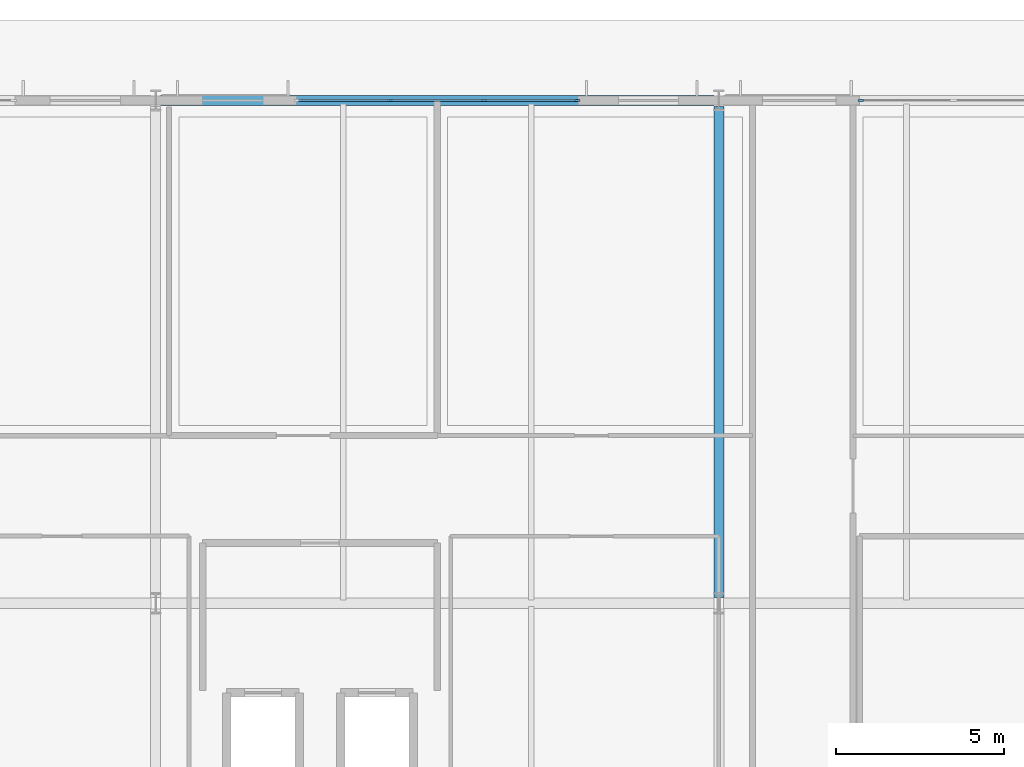
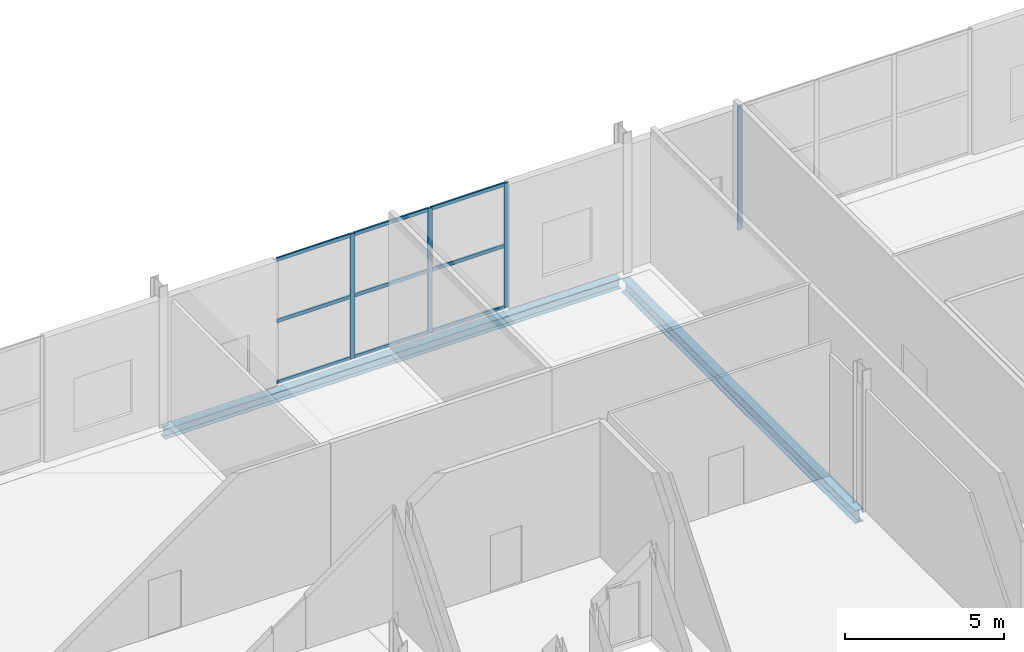
# One storey, part 35 of 87: 13 members, 2 beams, 2 elements without a shape of their own.
"""IFC4 building model written with IfcOpenShell, lengths in metres."""

from ifc_helpers import new_model, si_unit, direction, frame, origin, origin_2d, place, context, subcontext, project, spatial, rectangle, i_section, extrude, material, material_profile, profile_set, type_object, element, aggregate, save


model = new_model("IFC4")

# Units and contexts
model_context = context("Model", 3, precision=1e-05, world=origin(), true_north=direction((0.0, 1.0)))
body_context = subcontext(model_context, "Body", "Model", "MODEL_VIEW")
ifc_project = project(units=[si_unit("LENGTHUNIT", "METRE"), si_unit("AREAUNIT", "SQUARE_METRE"), si_unit("VOLUMEUNIT", "CUBIC_METRE"), si_unit("PLANEANGLEUNIT", "RADIAN"), si_unit("MASSUNIT", "GRAM", prefix="KILO")], contexts=[model_context])

# Site, building, storey
site_placement = place(None, origin())
site = spatial("IfcSite", under=ifc_project, at=site_placement, CompositionType="ELEMENT")
building_placement = place(site_placement, origin())
building = spatial("IfcBuilding", under=site, at=building_placement, Name="Kimbaza Rail Terminus", CompositionType="ELEMENT")
storey_placement = place(building_placement, origin())
storey = spatial("IfcBuildingStorey", under=building, at=storey_placement, Name="L00", CompositionType="ELEMENT", Elevation=0.0)

# Curtain wall, members
ifc_material_1 = material(Name="Anodised aluminium framing and solar low-E glazing", Category="aluminium")
curtain_wall_type = type_object("IfcCurtainWallType", Name="ARC-CW-OP1", PredefinedType="USERDEFINED", material=ifc_material_1)
curtain_wall_1_placement = place(storey_placement, origin())
curtain_wall_1 = element("IfcCurtainWall", 1, at=curtain_wall_1_placement, inside=storey, type_object=curtain_wall_type, Name="Operations North Curtain Wall L00 Bay 3", ObjectType="UNITISED CURTAIN WALL", PredefinedType="USERDEFINED")
ifc_material_2 = material(Name="Anodised architectural aluminium", Category="aluminium")
ifc_material_profile_1 = material_profile(ifc_material_2, rectangle(XDim=0.06201171875, YDim=0.1650390625, at=origin_2d()), Name="MULLION 62x165")
ifc_profile_set_1 = profile_set([ifc_material_profile_1], Name="Anodised architectural aluminium")
member_type_1 = type_object("IfcMemberType", Name="ARC-CWM-05", PredefinedType="MULLION", material=ifc_profile_set_1)
member_1_placement = place(storey_placement, frame((95.800048828125, 133.0, 0.0), z_axis=(0.0, 0.0, 1.0), x_axis=(0.0, 1.0, 0.0)))
member_1 = element("IfcMember", 2, at=member_1_placement, type_object=member_type_1, Name="CW-05 mullion 2", PredefinedType="MULLION", context=body_context, shape_type="SweptSolid", body=[
    extrude(rectangle(XDim=0.06201171875, YDim=0.1650390625, at=origin_2d()), origin(), (0.0, 0.0, 1.0), 4.764892578125),
])
member_2_placement = place(storey_placement, frame((98.60009765625, 133.0, 0.0), z_axis=(0.0, 0.0, 1.0), x_axis=(0.0, 1.0, 0.0)))
member_2 = element("IfcMember", 3, at=member_2_placement, type_object=member_type_1, Name="CW-05 mullion 3", PredefinedType="MULLION", context=body_context, shape_type="SweptSolid", body=[
    extrude(rectangle(XDim=0.06201171875, YDim=0.1650390625, at=origin_2d()), origin(), (0.0, 0.0, 1.0), 4.764892578125),
])
member_3_placement = place(storey_placement, frame((101.368896484375, 133.0, 0.0), z_axis=(0.0, 0.0, 1.0), x_axis=(0.0, 1.0, 0.0)))
member_3 = element("IfcMember", 4, at=member_3_placement, type_object=member_type_1, Name="CW-05 mullion 4", PredefinedType="MULLION", context=body_context, shape_type="SweptSolid", body=[
    extrude(rectangle(XDim=0.06201171875, YDim=0.1650390625, at=origin_2d()), origin(), (0.0, 0.0, 1.0), 4.764892578125),
])

# Curtain wall, member
curtain_wall_2_placement = place(storey_placement, origin())
curtain_wall_2 = element("IfcCurtainWall", 5, at=curtain_wall_2_placement, inside=storey, type_object=curtain_wall_type, Name="Operations North Curtain Wall L00 Bay 4", ObjectType="UNITISED CURTAIN WALL", PredefinedType="USERDEFINED")
member_4_placement = place(storey_placement, frame((109.8310546875, 133.0, 0.0), z_axis=(0.0, 0.0, 1.0), x_axis=(0.0, 1.0, 0.0)))
member_4 = element("IfcMember", 6, at=member_4_placement, type_object=member_type_1, Name="CW-05 mullion 1", PredefinedType="MULLION", context=body_context, shape_type="SweptSolid", body=[
    extrude(rectangle(XDim=0.06201171875, YDim=0.1650390625, at=origin_2d()), origin(), (0.0, 0.0, 1.0), 4.764892578125),
])
aggregate(curtain_wall_2, [member_4])

# Member
ifc_material_3 = material(Name="Anodised architectural aluminium", Category="aluminium")
ifc_material_profile_2 = material_profile(ifc_material_3, rectangle(XDim=0.06201171875, YDim=0.135009765625, at=origin_2d()), Name="TRANSOM 62x135")
ifc_profile_set_2 = profile_set([ifc_material_profile_2], Name="Anodised architectural aluminium")
member_type_2 = type_object("IfcMemberType", Name="ARC-CWT-05", PredefinedType="USERDEFINED", material=ifc_profile_set_2)
member_5_placement = place(storey_placement, frame((93.06201171875, 133.0, 0.031005859375), z_axis=(1.0, 0.0, 0.0), x_axis=(0.0, 1.0, 0.0)))
member_5 = element("IfcMember", 7, at=member_5_placement, type_object=member_type_2, Name="CW-05 transom 1.1", ObjectType="TRANSOM", PredefinedType="USERDEFINED", context=body_context, shape_type="SweptSolid", body=[
    extrude(rectangle(XDim=0.06201171875, YDim=0.135009765625, at=origin_2d()), origin(), (0.0, 0.0, 1.0), 2.70703125),
])

member_6_placement = place(storey_placement, frame((93.06201171875, 133.0, 2.382568359375), z_axis=(1.0, 0.0, 0.0), x_axis=(0.0, 1.0, 0.0)))
member_6 = element("IfcMember", 8, at=member_6_placement, type_object=member_type_2, Name="CW-05 transom 1.2", ObjectType="TRANSOM", PredefinedType="USERDEFINED", context=body_context, shape_type="SweptSolid", body=[
    extrude(rectangle(XDim=0.06201171875, YDim=0.135009765625, at=origin_2d()), origin(), (0.0, 0.0, 1.0), 2.70703125),
])

member_7_placement = place(storey_placement, frame((93.06201171875, 133.0, 4.73388671875), z_axis=(1.0, 0.0, 0.0), x_axis=(0.0, 1.0, 0.0)))
member_7 = element("IfcMember", 9, at=member_7_placement, type_object=member_type_2, Name="CW-05 transom 1.3", ObjectType="TRANSOM", PredefinedType="USERDEFINED", context=body_context, shape_type="SweptSolid", body=[
    extrude(rectangle(XDim=0.06201171875, YDim=0.135009765625, at=origin_2d()), origin(), (0.0, 0.0, 1.0), 2.70703125),
])

member_8_placement = place(storey_placement, frame((95.8310546875, 133.0, 0.031005859375), z_axis=(1.0, 0.0, 0.0), x_axis=(0.0, 1.0, 0.0)))
member_8 = element("IfcMember", 10, at=member_8_placement, type_object=member_type_2, Name="CW-05 transom 2.1", ObjectType="TRANSOM", PredefinedType="USERDEFINED", context=body_context, shape_type="SweptSolid", body=[
    extrude(rectangle(XDim=0.06201171875, YDim=0.135009765625, at=origin_2d()), origin(), (0.0, 0.0, 1.0), 2.738037109375),
])

member_9_placement = place(storey_placement, frame((95.8310546875, 133.0, 2.382568359375), z_axis=(1.0, 0.0, 0.0), x_axis=(0.0, 1.0, 0.0)))
member_9 = element("IfcMember", 11, at=member_9_placement, type_object=member_type_2, Name="CW-05 transom 2.2", ObjectType="TRANSOM", PredefinedType="USERDEFINED", context=body_context, shape_type="SweptSolid", body=[
    extrude(rectangle(XDim=0.06201171875, YDim=0.135009765625, at=origin_2d()), origin(), (0.0, 0.0, 1.0), 2.738037109375),
])

member_10_placement = place(storey_placement, frame((95.8310546875, 133.0, 4.73388671875), z_axis=(1.0, 0.0, 0.0), x_axis=(0.0, 1.0, 0.0)))
member_10 = element("IfcMember", 12, at=member_10_placement, type_object=member_type_2, Name="CW-05 transom 2.3", ObjectType="TRANSOM", PredefinedType="USERDEFINED", context=body_context, shape_type="SweptSolid", body=[
    extrude(rectangle(XDim=0.06201171875, YDim=0.135009765625, at=origin_2d()), origin(), (0.0, 0.0, 1.0), 2.738037109375),
])

member_11_placement = place(storey_placement, frame((98.631103515625, 133.0, 0.031005859375), z_axis=(1.0, 0.0, 0.0), x_axis=(0.0, 1.0, 0.0)))
member_11 = element("IfcMember", 13, at=member_11_placement, type_object=member_type_2, Name="CW-05 transom 3.1", ObjectType="TRANSOM", PredefinedType="USERDEFINED", context=body_context, shape_type="SweptSolid", body=[
    extrude(rectangle(XDim=0.06201171875, YDim=0.135009765625, at=origin_2d()), origin(), (0.0, 0.0, 1.0), 2.706787109375),
])

member_12_placement = place(storey_placement, frame((98.631103515625, 133.0, 2.382568359375), z_axis=(1.0, 0.0, 0.0), x_axis=(0.0, 1.0, 0.0)))
member_12 = element("IfcMember", 14, at=member_12_placement, type_object=member_type_2, Name="CW-05 transom 3.2", ObjectType="TRANSOM", PredefinedType="USERDEFINED", context=body_context, shape_type="SweptSolid", body=[
    extrude(rectangle(XDim=0.06201171875, YDim=0.135009765625, at=origin_2d()), origin(), (0.0, 0.0, 1.0), 2.706787109375),
])

member_13_placement = place(storey_placement, frame((98.631103515625, 133.0, 4.73388671875), z_axis=(1.0, 0.0, 0.0), x_axis=(0.0, 1.0, 0.0)))
member_13 = element("IfcMember", 15, at=member_13_placement, type_object=member_type_2, Name="CW-05 transom 3.3", ObjectType="TRANSOM", PredefinedType="USERDEFINED", context=body_context, shape_type="SweptSolid", body=[
    extrude(rectangle(XDim=0.06201171875, YDim=0.135009765625, at=origin_2d()), origin(), (0.0, 0.0, 1.0), 2.706787109375),
])

aggregate(curtain_wall_1, [member_1, member_2, member_3, member_5, member_6, member_7, member_8, member_9, member_10, member_11, member_12, member_13])

# Beams
ifc_material_4 = material(Name="Steel S355", Category="steel")
ifc_material_profile_3 = material_profile(ifc_material_4, i_section(OverallWidth=0.300048828125, OverallDepth=0.389892578125, WebThickness=0.010986328125, FlangeThickness=0.01904296875, FilletRadius=0.027099609375, at=origin_2d()), Name="HEA 400")
ifc_profile_set_3 = profile_set([ifc_material_profile_3], Name="Steel S355")
beam_type_1 = type_object("IfcBeamType", Name="STR-BM-HEA400", PredefinedType="SPANDREL", material=ifc_profile_set_3)
beam_1_placement = place(storey_placement, frame((88.946044921875, 133.0, -0.43505859375), z_axis=(1.0, 0.0, 0.0), x_axis=(0.0, 1.0, 0.0)))
element("IfcBeam", 16, at=beam_1_placement, inside=storey, type_object=beam_type_1, Name="Operations Girder L00 X2-Y2", PredefinedType="SPANDREL", context=body_context, shape_type="SweptSolid", body=[
    extrude(i_section(OverallWidth=0.300048828125, OverallDepth=0.389892578125, WebThickness=0.010986328125, FlangeThickness=0.01904296875, FilletRadius=0.027099609375, at=origin_2d()), origin(), (0.0, 0.0, 1.0), 16.508056640625),
])
ifc_material_5 = material(Name="Steel S355", Category="steel")
ifc_material_profile_4 = material_profile(ifc_material_5, i_section(OverallWidth=0.300048828125, OverallDepth=0.5, WebThickness=0.014404296875, FlangeThickness=0.028076171875, FilletRadius=0.027099609375, at=origin_2d()), Name="HEB 500")
ifc_profile_set_4 = profile_set([ifc_material_profile_4], Name="Steel S355")
beam_type_2 = type_object("IfcBeamType", Name="STR-BM-HEB500", PredefinedType="BEAM", material=ifc_profile_set_4)
beam_2_placement = place(storey_placement, frame((105.60009765625, 118.175048828125, -0.489990234375), z_axis=(0.0, 1.0, 0.0), x_axis=(-1.0, 0.0, 0.0)))
element("IfcBeam", 17, at=beam_2_placement, inside=storey, type_object=beam_type_2, Name="Operations Cross Girder L00 X3-Y1", PredefinedType="BEAM", context=body_context, shape_type="SweptSolid", body=[
    extrude(i_section(OverallWidth=0.300048828125, OverallDepth=0.5, WebThickness=0.014404296875, FlangeThickness=0.028076171875, FilletRadius=0.027099609375, at=origin_2d()), origin(), (0.0, 0.0, 1.0), 14.64990234375),
])

save(model, "model.ifc")
